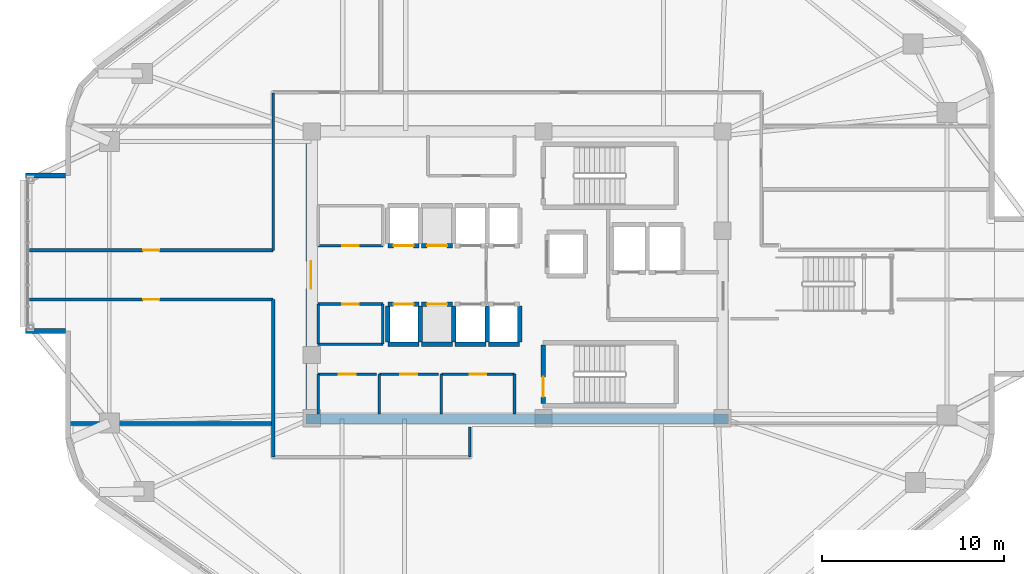
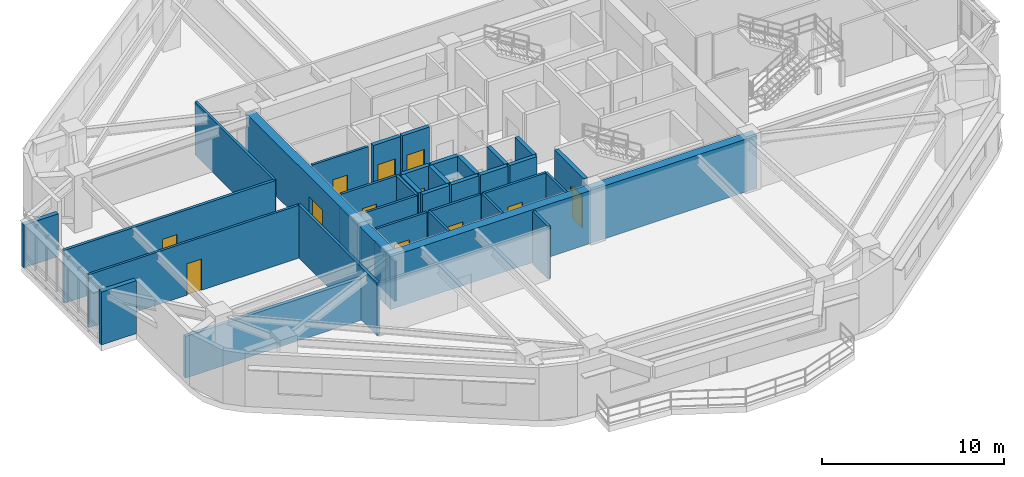
# One storey, part 9 of 16: 36 walls, 13 doors, 13 openings.
"""IFC4 building model written with IfcOpenShell, lengths in metres."""

import ifcopenshell
import ifcopenshell.guid

model = None  # the IFC model being written
_history = None  # IfcOwnerHistory: only IFC2X3 demands one
_inside = {}  # id of a spatial element -> (the spatial element, [elements in it])
_under = {}  # id of a project, library or spatial element -> (it, [spatial elements below it])
_declared = {}  # id of a project -> (the project, [libraries it declares])
_typed = {}  # id of a type object -> (the type object, [elements of that type])
_made_of = {}  # id of a material, layer set ... -> (it, [elements and type objects made of it])


def new_model(schema):
    """Start an empty IFC model of exactly this schema.

    Asked for "IFC4X3", IfcOpenShell would pick the latest addendum, in which some entities
    have other attributes; the version numbers below select the first issue.
    IFC2X3 requires an IfcOwnerHistory on every rooted entity: one is made here for all.
    """
    global model, _history
    if schema == "IFC4X3":
        model = ifcopenshell.file(schema_version=(4, 3, 0, 0))
    else:
        model = ifcopenshell.file(schema=schema)
    _inside.clear()
    _under.clear()
    _declared.clear()
    _typed.clear()
    _made_of.clear()
    _history = None
    if model.schema == "IFC2X3":
        org = make("IfcOrganization", Name="unknown")
        user = make(
            "IfcPersonAndOrganization",
            ThePerson=make("IfcPerson", FamilyName="unknown"),
            TheOrganization=org,
        )
        app = make(
            "IfcApplication",
            ApplicationDeveloper=org,
            Version="unknown",
            ApplicationFullName="unknown",
            ApplicationIdentifier="unknown",
        )
        _history = make(
            "IfcOwnerHistory",
            OwningUser=user,
            OwningApplication=app,
            ChangeAction="ADDED",
            CreationDate=0,
        )
    return model


def make(cls, **values):
    """One entity of the class cls with the attributes given. An attribute that is None is left unset."""
    return model.create_entity(
        cls, **{name: value for name, value in values.items() if value is not None}
    )


def rooted(cls, **values):
    """An entity with a GlobalId (a new one), such as an element, a storey or a relation."""
    return make(cls, GlobalId=ifcopenshell.guid.new(), OwnerHistory=_history, **values)


def si_unit(unit_type, name, prefix=None):
    """IfcSIUnit, for example si_unit("LENGTHUNIT", "METRE", prefix="MILLI")."""
    return make("IfcSIUnit", UnitType=unit_type, Prefix=prefix, Name=name)


def assignment(units):
    """IfcUnitAssignment: the units of a project."""
    return None if units is None else make("IfcUnitAssignment", Units=units)


def point(xyz):
    """IfcCartesianPoint."""
    return None if xyz is None else make("IfcCartesianPoint", Coordinates=xyz)


def direction(xyz):
    """IfcDirection."""
    return None if xyz is None else make("IfcDirection", DirectionRatios=xyz)


def frame(location, z_axis=None, x_axis=None):
    """IfcAxis2Placement3D, a coordinate frame: its origin and axes. An axis left out is left unset."""
    return make(
        "IfcAxis2Placement3D",
        Location=point(location),
        Axis=direction(z_axis),
        RefDirection=direction(x_axis),
    )


def frame_2d(location, x_axis=None):
    """IfcAxis2Placement2D, a coordinate frame in the plane: its origin and x axis."""
    return make(
        "IfcAxis2Placement2D", Location=point(location), RefDirection=direction(x_axis)
    )


def origin():
    """The frame at (0, 0, 0) with its axes left unset."""
    return frame((0.0, 0.0, 0.0))


def place(relative_to, where):
    """IfcLocalPlacement: puts the frame where relative to a parent placement (None: the world)."""
    return make(
        "IfcLocalPlacement", PlacementRelTo=relative_to, RelativePlacement=where
    )


def context(
    kind, dimensions, precision=None, world=None, true_north=None, identifier=None
):
    """IfcGeometricRepresentationContext, for example the 3D "Model" context."""
    return make(
        "IfcGeometricRepresentationContext",
        ContextIdentifier=identifier,
        ContextType=kind,
        CoordinateSpaceDimension=dimensions,
        Precision=precision,
        WorldCoordinateSystem=world,
        TrueNorth=true_north,
    )


def subcontext(parent, identifier, kind, view, scale=None):
    """IfcGeometricRepresentationSubContext, for example "Body" below "Model"."""
    return make(
        "IfcGeometricRepresentationSubContext",
        ContextIdentifier=identifier,
        ContextType=kind,
        ParentContext=parent,
        TargetScale=scale,
        TargetView=view,
    )


def project(units=None, contexts=None):
    """IfcProject with its units and contexts."""
    return rooted(
        "IfcProject",
        Name="project",
        RepresentationContexts=contexts,
        UnitsInContext=assignment(units),
    )


def spatial(cls, under=None, at=None, **own):
    """A site, building, storey or space (cls), placed at a placement, below another one or the project."""
    s = rooted(cls, ObjectPlacement=at, **own)
    if under is not None:
        _under.setdefault(under.id(), (under, []))[1].append(s)
    return s


def profile(cls, at=None, kind="AREA", **sizes):
    """A parametric profile (cls). Its sizes go by their IFC names, for example OverallWidth=200.0."""
    return make(cls, ProfileType=kind, Position=at, **sizes)


def rectangle(**sizes):
    """IfcRectangleProfileDef."""
    return profile("IfcRectangleProfileDef", **sizes)


def extrude(swept, where, along, depth):
    """IfcExtrudedAreaSolid: the profile swept, set in the frame where, extruded along a direction by depth."""
    return make(
        "IfcExtrudedAreaSolid",
        SweptArea=swept,
        Position=where,
        ExtrudedDirection=direction(along),
        Depth=depth,
    )


def shape(context_of_items, identifier, shape_type, items):
    """IfcShapeRepresentation: the items that make up one representation, for example the "Body"."""
    return make(
        "IfcShapeRepresentation",
        ContextOfItems=context_of_items,
        RepresentationIdentifier=identifier,
        RepresentationType=shape_type,
        Items=items,
    )


def material(Name=None, Category=None):
    """IfcMaterial."""
    return make("IfcMaterial", Name=Name, Category=Category)


def layer(
    of_material, thickness, ventilated=None, Name=None, Category=None, Priority=None
):
    """IfcMaterialLayer: one layer of a wall or slab, of a material (None: an air gap)."""
    return make(
        "IfcMaterialLayer",
        Material=of_material,
        LayerThickness=thickness,
        IsVentilated=ventilated,
        Name=Name,
        Category=Category,
        Priority=Priority,
    )


def layer_set(layers, Name=None):
    """IfcMaterialLayerSet."""
    return make("IfcMaterialLayerSet", MaterialLayers=layers, LayerSetName=Name)


def made_of(thing, what):
    """Note that an element or type object is made of a material, layer set ...; save() writes the relation."""
    if what is not None:
        _made_of.setdefault(what.id(), (what, []))[1].append(thing)
    return thing


def type_object(cls, material=None, **own):
    """A type object (cls), such as IfcWallType, which elements share."""
    return made_of(rooted(cls, **own), material)


def element(
    cls,
    number,
    at=None,
    inside=None,
    cuts=None,
    type_object=None,
    material=None,
    context=None,
    identifier="Body",
    shape_type=None,
    held_by="IfcProductDefinitionShape",
    body=None,
    shapes=None,
    **own,
):
    """One element of the class cls, such as IfcWall. Its Tag is "e" and its number.

    at: its placement. inside: the storey or other place that contains it. cuts: it is an
    opening in that element (IfcRelVoidsElement). A single representation is given by context,
    identifier, shape_type and body (its items); several are given by shapes. held_by: the class
    of the entity that holds the representations. save() writes the other relations.
    """
    e = rooted(cls, Tag="e%d" % number, ObjectPlacement=at, **own)
    if body is not None:
        shapes = [shape(context, identifier, shape_type, body)]
    if shapes is not None:
        e.Representation = make(held_by, Representations=shapes)
    if inside is not None:
        _inside.setdefault(inside.id(), (inside, []))[1].append(e)
    if cuts is not None:
        rooted(
            "IfcRelVoidsElement", RelatingBuildingElement=cuts, RelatedOpeningElement=e
        )
    if type_object is not None:
        _typed.setdefault(type_object.id(), (type_object, []))[1].append(e)
    return made_of(e, material)


def fill(opening, filler):
    """IfcRelFillsElement: the door or window that sits in an opening."""
    return rooted(
        "IfcRelFillsElement",
        RelatingOpeningElement=opening,
        RelatedBuildingElement=filler,
    )


def aggregate(whole, parts):
    """IfcRelAggregates: a whole, such as a stair, and the parts it consists of."""
    return rooted("IfcRelAggregates", RelatingObject=whole, RelatedObjects=parts)


def save(model, path):
    """Write the relations noted so far, then the file.

    IfcRelAggregates (storeys below a building ...), IfcRelContainedInSpatialStructure (elements
    in a storey), IfcRelDefinesByType, IfcRelAssociatesMaterial and IfcRelDeclares: one each for
    every whole, place, type object, material and project.
    """
    for whole, parts in _under.values():
        aggregate(whole, parts)
    for where, things in _inside.values():
        rooted(
            "IfcRelContainedInSpatialStructure",
            RelatedElements=things,
            RelatingStructure=where,
        )
    for kind, things in _typed.values():
        rooted("IfcRelDefinesByType", RelatedObjects=things, RelatingType=kind)
    for what, things in _made_of.values():
        rooted("IfcRelAssociatesMaterial", RelatedObjects=things, RelatingMaterial=what)
    for by, libraries in _declared.values():
        rooted("IfcRelDeclares", RelatingContext=by, RelatedDefinitions=libraries)
    model.write(path)


model = new_model("IFC4")

# Units and contexts
model_context = context("Model", 3, precision=1e-05, world=origin(), true_north=direction((0.0, 1.0)))
body_context = subcontext(model_context, "Body", "Model", "MODEL_VIEW")
ifc_project = project(units=[si_unit("LENGTHUNIT", "METRE"), si_unit("AREAUNIT", "SQUARE_METRE"), si_unit("VOLUMEUNIT", "CUBIC_METRE"), si_unit("PLANEANGLEUNIT", "RADIAN"), si_unit("MASSUNIT", "GRAM", prefix="KILO")], contexts=[model_context])

# Site, building, storey
site_placement = place(None, origin())
site = spatial("IfcSite", under=ifc_project, at=site_placement, CompositionType="ELEMENT")
building_placement = place(site_placement, origin())
building = spatial("IfcBuilding", under=site, at=building_placement, Name="Zulverin Broadcast Headquarters", CompositionType="ELEMENT")
storey_placement = place(building_placement, frame((0.0, 0.0, 125.0)))
storey = spatial("IfcBuildingStorey", under=building, at=storey_placement, Name="L31", CompositionType="ELEMENT", Elevation=125.0)

# Walls
ifc_material_1 = material(Name="Double-stud acoustic drywall", Category="gypsum")
ifc_layer_1 = layer(ifc_material_1, 0.219970703125, Name="Double-stud acoustic drywall", Category="gypsum")
ifc_layer_set_1 = layer_set([ifc_layer_1], Name="Double-stud acoustic drywall")
wall_type_1 = type_object("IfcWallType", Name="WL-ACOU-220", PredefinedType="PARTITIONING", material=ifc_layer_set_1)
wall_1_placement = place(storey_placement, frame((12.405029296875, 17.050048828125, 0.0), z_axis=(0.0, 0.0, 1.0), x_axis=(1.0, 0.0, 0.0)))
element("IfcWall", 1, at=wall_1_placement, inside=storey, type_object=wall_type_1, Name="L31 Room Partition Wall RP-07", PredefinedType="PARTITIONING", context=body_context, shape_type="SweptSolid", body=[
    extrude(rectangle(XDim=11.195068359375, YDim=0.219970703125, at=frame_2d((5.59765625, 0.0))), origin(), (0.0, 0.0, 1.0), 2.7900390625),
])
ifc_material_2 = material(Name="Concrete C60/75", Category="concrete")
ifc_layer_2 = layer(ifc_material_2, 0.550048828125, Name="Concrete C60/75", Category="concrete")
ifc_layer_set_2 = layer_set([ifc_layer_2], Name="Concrete C60/75")
wall_type_2 = type_object("IfcWallType", Name="WL-CORE-550", PredefinedType="SHEAR", material=ifc_layer_set_2)
wall_2_placement = place(storey_placement, frame((25.39990234375, 17.27490234375, 0.0), z_axis=(0.0, 0.0, 1.0), x_axis=(1.0, 0.0, 0.0)))
element("IfcWall", 2, at=wall_2_placement, inside=storey, type_object=wall_type_2, Name="L31 Core South Shear Wall", PredefinedType="SHEAR", context=body_context, shape_type="SweptSolid", body=[
    extrude(rectangle(XDim=23.2001953125, YDim=0.550048828125, at=frame_2d((11.60009765625, 0.0))), origin(), (0.0, 0.0, 1.0), 3.5400390625),
])

# Wall, opening, door
wall_3_placement = place(storey_placement, frame((25.675048828125, 17.550048828125, 0.0), z_axis=(0.0, 0.0, 1.0), x_axis=(0.0, 1.0, 0.0)))
wall_3 = element("IfcWall", 3, at=wall_3_placement, inside=storey, type_object=wall_type_2, Name="L31 Core West Shear Wall", PredefinedType="SHEAR", context=body_context, shape_type="SweptSolid", body=[
    extrude(rectangle(XDim=15.300048828125, YDim=0.550048828125, at=frame_2d((7.64990234375, 0.0))), origin(), (0.0, 0.0, 1.0), 3.5400390625),
])
opening_1_placement = place(wall_3_placement, frame((6.89990234375, 0.0, 0.0)))
opening_1 = element("IfcOpeningElement", 4, at=opening_1_placement, cuts=wall_3, Name="Opening D-L31-CW1", PredefinedType="OPENING", context=body_context, shape_type="SweptSolid", body=[
    extrude(rectangle(XDim=1.5, YDim=2.14990234375, at=frame_2d((0.75, 1.074951171875))), frame((0.0, 0.284912109375, 0.0), z_axis=(0.0, -1.0, 0.0), x_axis=(1.0, 0.0, 0.0)), (0.0, 0.0, 1.0), 0.570068359375),
])
ifc_material_3 = material(Name="Fire-rated glazed steel frame", Category="steel")
door_type_1 = type_object("IfcDoorType", Name="DR-COR-1500", OperationType="DOUBLE_DOOR_SINGLE_SWING", PredefinedType="DOOR", material=ifc_material_3)
door_1_placement = place(opening_1_placement, origin())
door_1 = element("IfcDoor", 5, at=door_1_placement, inside=storey, type_object=door_type_1, Name="L31 Central Lift Lobby West Portal Door", OperationType="DOUBLE_DOOR_SINGLE_SWING", OverallHeight=2.14990234375, OverallWidth=1.5, PredefinedType="DOOR", context=body_context, shape_type="SweptSolid", body=[
    extrude(rectangle(XDim=1.5, YDim=2.14990234375, at=frame_2d((0.75, 1.074951171875))), frame((0.0, 0.02490234375, 0.0), z_axis=(0.0, -1.0, 0.0), x_axis=(1.0, 0.0, 0.0)), (0.0, 0.0, 1.0), 0.050048828125),
])
fill(opening_1, door_1)

# Walls
ifc_material_4 = material(Name="Insulated pale-metal clad concrete spandrel C40/50", Category="concrete")
ifc_layer_3 = layer(ifc_material_4, 0.280029296875, Name="Insulated pale-metal clad concrete spandrel C40/50", Category="concrete")
ifc_layer_set_3 = layer_set([ifc_layer_3], Name="Insulated pale-metal clad concrete spandrel C40/50")
wall_type_3 = type_object("IfcWallType", Name="WL-EXT-280", PredefinedType="STANDARD", material=ifc_layer_set_3)
wall_4_placement = place(storey_placement, frame((10.0, 22.1298828125, 0.0), z_axis=(0.0, 0.0, 1.0), x_axis=(1.0, 0.0, 0.0)))
element("IfcWall", 6, at=wall_4_placement, inside=storey, type_object=wall_type_3, Name="L31 Shifted Studio Box Cheek Wall SBOX_SKY1_W-S", PredefinedType="STANDARD", context=body_context, shape_type="SweptSolid", body=[
    extrude(rectangle(XDim=2.199951171875, YDim=0.280029296875, at=frame_2d((1.10009765625, 0.0))), origin(), (0.0, 0.0, 1.0), 3.5400390625),
])
wall_5_placement = place(storey_placement, frame((10.0, 30.64990234375, 0.0), z_axis=(0.0, 0.0, 1.0), x_axis=(1.0, 0.0, 0.0)))
element("IfcWall", 7, at=wall_5_placement, inside=storey, type_object=wall_type_3, Name="L31 Shifted Studio Box Cheek Wall SBOX_SKY1_W-N", PredefinedType="STANDARD", context=body_context, shape_type="SweptSolid", body=[
    extrude(rectangle(XDim=2.199951171875, YDim=0.280029296875, at=frame_2d((1.10009765625, 0.0))), origin(), (0.0, 0.0, 1.0), 2.84716796875),
])

# Wall, opening, door
ifc_material_5 = material(Name="Fire-rated gypsum stud partition", Category="gypsum")
ifc_layer_4 = layer(ifc_material_5, 0.14990234375, Name="Fire-rated gypsum stud partition", Category="gypsum")
ifc_layer_set_4 = layer_set([ifc_layer_4], Name="Fire-rated gypsum stud partition")
wall_type_4 = type_object("IfcWallType", Name="WL-PART-150", PredefinedType="PARTITIONING", material=ifc_layer_set_4)
wall_6_placement = place(storey_placement, frame((26.070068359375, 19.75, 0.0), z_axis=(0.0, 0.0, 1.0), x_axis=(1.0, 0.0, 0.0)))
wall_6 = element("IfcWall", 8, at=wall_6_placement, inside=storey, type_object=wall_type_4, Name="L31 Core Male WC Front Wall", PredefinedType="PARTITIONING", context=body_context, shape_type="SweptSolid", body=[
    extrude(rectangle(XDim=3.199951171875, YDim=0.14990234375, at=frame_2d((1.60009765625, 0.0))), origin(), (0.0, 0.0, 1.0), 3.5400390625),
])
opening_2_placement = place(wall_6_placement, frame((1.125, 0.0, 0.0)))
opening_2 = element("IfcOpeningElement", 9, at=opening_2_placement, cuts=wall_6, Name="Opening D-L31-SC1", PredefinedType="OPENING", context=body_context, shape_type="SweptSolid", body=[
    extrude(rectangle(XDim=0.949951171875, YDim=2.10009765625, at=frame_2d((0.47509765625, 1.050048828125))), frame((0.0, 0.0849609375, 0.0), z_axis=(0.0, -1.0, 0.0), x_axis=(1.0, 0.0, 0.0)), (0.0, 0.0, 1.0), 0.169921875),
])
ifc_material_6 = material(Name="Fire-rated moisture-resistant laminate leaf", Category="wood")
door_type_2 = type_object("IfcDoorType", Name="DR-WC-950", OperationType="SINGLE_SWING_LEFT", PredefinedType="DOOR", material=ifc_material_6)
door_2_placement = place(opening_2_placement, origin())
door_2 = element("IfcDoor", 10, at=door_2_placement, inside=storey, type_object=door_type_2, Name="L31 Male WC Door", OperationType="SINGLE_SWING_RIGHT", OverallHeight=2.10009765625, OverallWidth=0.949951171875, PredefinedType="DOOR", context=body_context, shape_type="SweptSolid", body=[
    extrude(rectangle(XDim=0.949951171875, YDim=2.10009765625, at=frame_2d((0.47509765625, 1.050048828125))), frame((0.0, 0.02490234375, 0.0), z_axis=(0.0, -1.0, 0.0), x_axis=(1.0, 0.0, 0.0)), (0.0, 0.0, 1.0), 0.050048828125),
])
fill(opening_2, door_2)

# Wall
wall_7_placement = place(storey_placement, frame((26.070068359375, 17.550048828125, 0.0), z_axis=(0.0, 0.0, 1.0), x_axis=(0.0, 1.0, 0.0)))
element("IfcWall", 11, at=wall_7_placement, inside=storey, type_object=wall_type_4, Name="L31 Core Male WC West Wall", PredefinedType="PARTITIONING", context=body_context, shape_type="SweptSolid", body=[
    extrude(rectangle(XDim=2.199951171875, YDim=0.14990234375, at=frame_2d((1.10009765625, 0.0))), origin(), (0.0, 0.0, 1.0), 2.639892578125),
])

# Wall, opening, door
wall_8_placement = place(storey_placement, frame((29.429931640625, 19.75, 0.0), z_axis=(0.0, 0.0, 1.0), x_axis=(1.0, 0.0, 0.0)))
wall_8 = element("IfcWall", 12, at=wall_8_placement, inside=storey, type_object=wall_type_4, Name="L31 Core Female WC Front Wall", PredefinedType="PARTITIONING", context=body_context, shape_type="SweptSolid", body=[
    extrude(rectangle(XDim=3.239990234375, YDim=0.14990234375, at=frame_2d((1.6201171875, 0.0))), origin(), (0.0, 0.0, 1.0), 3.5400390625),
])
opening_3_placement = place(wall_8_placement, frame((1.14501953125, 0.0, 0.0)))
opening_3 = element("IfcOpeningElement", 13, at=opening_3_placement, cuts=wall_8, Name="Opening D-L31-SC2", PredefinedType="OPENING", context=body_context, shape_type="SweptSolid", body=[
    extrude(rectangle(XDim=0.949951171875, YDim=2.10009765625, at=frame_2d((0.47509765625, 1.050048828125))), frame((0.0, 0.0849609375, 0.0), z_axis=(0.0, -1.0, 0.0), x_axis=(1.0, 0.0, 0.0)), (0.0, 0.0, 1.0), 0.169921875),
])
door_3_placement = place(opening_3_placement, origin())
door_3 = element("IfcDoor", 14, at=door_3_placement, inside=storey, type_object=door_type_2, Name="L31 Female WC Door", OperationType="SINGLE_SWING_LEFT", OverallHeight=2.10009765625, OverallWidth=0.949951171875, PredefinedType="DOOR", context=body_context, shape_type="SweptSolid", body=[
    extrude(rectangle(XDim=0.949951171875, YDim=2.10009765625, at=frame_2d((0.47509765625, 1.050048828125))), frame((0.0, 0.02490234375, 0.0), z_axis=(0.0, -1.0, 0.0), x_axis=(1.0, 0.0, 0.0)), (0.0, 0.0, 1.0), 0.050048828125),
])
fill(opening_3, door_3)

# Wall
wall_9_placement = place(storey_placement, frame((29.429931640625, 17.550048828125, 0.0), z_axis=(0.0, 0.0, 1.0), x_axis=(0.0, 1.0, 0.0)))
element("IfcWall", 15, at=wall_9_placement, inside=storey, type_object=wall_type_4, Name="L31 Core Female WC West Wall", PredefinedType="PARTITIONING", context=body_context, shape_type="SweptSolid", body=[
    extrude(rectangle(XDim=2.199951171875, YDim=0.14990234375, at=frame_2d((1.10009765625, 0.0))), origin(), (0.0, 0.0, 1.0), 3.5400390625),
])

# Wall, opening, door
wall_10_placement = place(storey_placement, frame((32.830078125, 19.75, 0.0), z_axis=(0.0, 0.0, 1.0), x_axis=(1.0, 0.0, 0.0)))
wall_10 = element("IfcWall", 16, at=wall_10_placement, inside=storey, type_object=wall_type_4, Name="L31 Core Cleaner Store Front Wall", PredefinedType="PARTITIONING", context=body_context, shape_type="SweptSolid", body=[
    extrude(rectangle(XDim=4.02001953125, YDim=0.14990234375, at=frame_2d((2.010009765625, 0.0))), origin(), (0.0, 0.0, 1.0), 3.5400390625),
])
opening_4_placement = place(wall_10_placement, frame((1.56005859375, 0.0, 0.0)))
opening_4 = element("IfcOpeningElement", 17, at=opening_4_placement, cuts=wall_10, Name="Opening D-L31-SC3", PredefinedType="OPENING", context=body_context, shape_type="SweptSolid", body=[
    extrude(rectangle(XDim=0.89990234375, YDim=2.10009765625, at=frame_2d((0.449951171875, 1.050048828125))), frame((0.0, 0.0849609375, 0.0), z_axis=(0.0, -1.0, 0.0), x_axis=(1.0, 0.0, 0.0)), (0.0, 0.0, 1.0), 0.169921875),
])
ifc_material_7 = material(Name="Powder-coated steel access leaf", Category="steel")
door_type_3 = type_object("IfcDoorType", Name="DR-RISER-900", OperationType="SINGLE_SWING_LEFT", PredefinedType="DOOR", material=ifc_material_7)
door_4_placement = place(opening_4_placement, origin())
door_4 = element("IfcDoor", 18, at=door_4_placement, inside=storey, type_object=door_type_3, Name="L31 Cleaner Store Door", OperationType="SINGLE_SWING_RIGHT", OverallHeight=2.10009765625, OverallWidth=0.89990234375, PredefinedType="DOOR", context=body_context, shape_type="SweptSolid", body=[
    extrude(rectangle(XDim=0.89990234375, YDim=2.10009765625, at=frame_2d((0.449951171875, 1.050048828125))), frame((0.0, 0.02490234375, 0.0), z_axis=(0.0, -1.0, 0.0), x_axis=(1.0, 0.0, 0.0)), (0.0, 0.0, 1.0), 0.050048828125),
])
fill(opening_4, door_4)

# Walls
for number, where, z_axis, x_axis, name in (
    (19, (32.830078125, 17.550048828125, 0.0), (0.0, 0.0, 1.0), (0.0, 1.0, 0.0), "L31 Core Cleaner Store West Wall"),
    (20, (36.85009765625, 17.550048828125, 0.0), (0.0, 0.0, 1.0), (0.0, 1.0, 0.0), "L31 Core Cleaner Store East Wall"),
):
    element("IfcWall", number, at=place(storey_placement, frame(where, z_axis=z_axis, x_axis=x_axis)), inside=storey, type_object=wall_type_4, Name=name, PredefinedType="PARTITIONING", context=body_context, shape_type="SweptSolid", body=[
        extrude(rectangle(XDim=2.199951171875, YDim=0.14990234375, at=frame_2d((1.10009765625, 0.0))), origin(), (0.0, 0.0, 1.0), 3.5400390625),
    ])

# Wall, opening, door
wall_11_placement = place(storey_placement, frame((26.070068359375, 26.800048828125, 0.0), z_axis=(0.0, 0.0, 1.0), x_axis=(1.0, 0.0, 0.0)))
wall_11 = element("IfcWall", 21, at=wall_11_placement, inside=storey, type_object=wall_type_4, Name="L31 Broadcast Signal Patch Room S Wall", PredefinedType="PARTITIONING", context=body_context, shape_type="SweptSolid", body=[
    extrude(rectangle(XDim=3.550048828125, YDim=0.14990234375, at=frame_2d((1.77490234375, 0.0))), origin(), (0.0, 0.0, 1.0), 3.5400390625),
])
opening_5_placement = place(wall_11_placement, frame((1.324951171875, 0.0, 0.0)))
opening_5 = element("IfcOpeningElement", 22, at=opening_5_placement, cuts=wall_11, Name="Opening D-L31-RCLN", PredefinedType="OPENING", context=body_context, shape_type="SweptSolid", body=[
    extrude(rectangle(XDim=0.89990234375, YDim=2.10009765625, at=frame_2d((0.449951171875, 1.050048828125))), frame((0.0, 0.0849609375, 0.0), z_axis=(0.0, -1.0, 0.0), x_axis=(1.0, 0.0, 0.0)), (0.0, 0.0, 1.0), 0.169921875),
])
door_5_placement = place(opening_5_placement, origin())
door_5 = element("IfcDoor", 23, at=door_5_placement, inside=storey, type_object=door_type_3, Name="L31 Broadcast Signal Patch Room Door", OperationType="SINGLE_SWING_LEFT", OverallHeight=2.10009765625, OverallWidth=0.89990234375, PredefinedType="DOOR", context=body_context, shape_type="SweptSolid", body=[
    extrude(rectangle(XDim=0.89990234375, YDim=2.10009765625, at=frame_2d((0.449951171875, 1.050048828125))), frame((0.0, 0.02490234375, 0.0), z_axis=(0.0, -1.0, 0.0), x_axis=(1.0, 0.0, 0.0)), (0.0, 0.0, 1.0), 0.050048828125),
])
fill(opening_5, door_5)

# Wall
wall_12_placement = place(storey_placement, frame((26.070068359375, 21.39990234375, 0.0), z_axis=(0.0, 0.0, 1.0), x_axis=(1.0, 0.0, 0.0)))
element("IfcWall", 24, at=wall_12_placement, inside=storey, type_object=wall_type_4, Name="L31 Housekeeping Equipment Store S Wall", PredefinedType="PARTITIONING", context=body_context, shape_type="SweptSolid", body=[
    extrude(rectangle(XDim=3.550048828125, YDim=0.14990234375, at=frame_2d((1.77490234375, 0.0))), origin(), (0.0, 0.0, 1.0), 3.5400390625),
])

# Wall, opening, door
wall_13_placement = place(storey_placement, frame((26.070068359375, 23.60009765625, 0.0), z_axis=(0.0, 0.0, 1.0), x_axis=(1.0, 0.0, 0.0)))
wall_13 = element("IfcWall", 25, at=wall_13_placement, inside=storey, type_object=wall_type_4, Name="L31 Housekeeping Equipment Store N Wall", PredefinedType="PARTITIONING", context=body_context, shape_type="SweptSolid", body=[
    extrude(rectangle(XDim=3.550048828125, YDim=0.14990234375, at=frame_2d((1.77490234375, 0.0))), origin(), (0.0, 0.0, 1.0), 3.5400390625),
])
opening_6_placement = place(wall_13_placement, frame((1.324951171875, 0.0, 0.0)))
opening_6 = element("IfcOpeningElement", 26, at=opening_6_placement, cuts=wall_13, Name="Opening D-L31-RCLS", PredefinedType="OPENING", context=body_context, shape_type="SweptSolid", body=[
    extrude(rectangle(XDim=0.89990234375, YDim=2.10009765625, at=frame_2d((0.449951171875, 1.050048828125))), frame((0.0, 0.0849609375, 0.0), z_axis=(0.0, -1.0, 0.0), x_axis=(1.0, 0.0, 0.0)), (0.0, 0.0, 1.0), 0.169921875),
])
door_6_placement = place(opening_6_placement, origin())
door_6 = element("IfcDoor", 27, at=door_6_placement, inside=storey, type_object=door_type_3, Name="L31 Housekeeping Equipment Store Door", OperationType="SINGLE_SWING_RIGHT", OverallHeight=2.10009765625, OverallWidth=0.89990234375, PredefinedType="DOOR", context=body_context, shape_type="SweptSolid", body=[
    extrude(rectangle(XDim=0.89990234375, YDim=2.10009765625, at=frame_2d((0.449951171875, 1.050048828125))), frame((0.0, 0.02490234375, 0.0), z_axis=(0.0, -1.0, 0.0), x_axis=(1.0, 0.0, 0.0)), (0.0, 0.0, 1.0), 0.050048828125),
])
fill(opening_6, door_6)

# Walls
wall_14_placement = place(storey_placement, frame((26.070068359375, 21.39990234375, 0.0), z_axis=(0.0, 0.0, 1.0), x_axis=(0.0, 1.0, 0.0)))
element("IfcWall", 28, at=wall_14_placement, inside=storey, type_object=wall_type_4, Name="L31 Housekeeping Equipment Store W Wall", PredefinedType="PARTITIONING", context=body_context, shape_type="SweptSolid", body=[
    extrude(rectangle(XDim=2.2001953125, YDim=0.14990234375, at=frame_2d((1.10009765625, 0.0))), origin(), (0.0, 0.0, 1.0), 2.639892578125),
])
wall_15_placement = place(storey_placement, frame((29.6201171875, 21.39990234375, 0.0), z_axis=(0.0, 0.0, 1.0), x_axis=(0.0, 1.0, 0.0)))
element("IfcWall", 29, at=wall_15_placement, inside=storey, type_object=wall_type_4, Name="L31 Housekeeping Equipment Store E Wall", PredefinedType="PARTITIONING", context=body_context, shape_type="SweptSolid", body=[
    extrude(rectangle(XDim=2.2001953125, YDim=0.14990234375, at=frame_2d((1.10009765625, 0.0))), origin(), (0.0, 0.0, 1.0), 3.5400390625),
])
wall_16_placement = place(storey_placement, frame((34.39990234375, 15.199951171875, 0.0), z_axis=(0.0, 0.0, 1.0), x_axis=(0.0, 1.0, 0.0)))
element("IfcWall", 30, at=wall_16_placement, inside=storey, type_object=wall_type_4, Name="L31 Gallery Partition Wall CG-02", PredefinedType="PARTITIONING", context=body_context, shape_type="SweptSolid", body=[
    extrude(rectangle(XDim=1.66015625, YDim=0.14990234375, at=frame_2d((0.830078125, 0.0))), origin(), (0.0, 0.0, 1.0), 3.5400390625),
])
wall_17_placement = place(storey_placement, frame((23.60009765625, 26.550048828125, 0.0), z_axis=(0.0, 0.0, 1.0), x_axis=(0.0, 1.0, 0.0)))
element("IfcWall", 31, at=wall_17_placement, inside=storey, type_object=wall_type_4, Name="L31 Gallery Partition Wall CG-05", PredefinedType="PARTITIONING", context=body_context, shape_type="SweptSolid", body=[
    extrude(rectangle(XDim=8.64990234375, YDim=0.14990234375, at=frame_2d((4.324951171875, 0.0))), origin(), (0.0, 0.0, 1.0), 3.5400390625),
])

# Wall, opening, door
wall_18_placement = place(storey_placement, frame((10.205078125, 23.85009765625, 0.0), z_axis=(0.0, 0.0, 1.0), x_axis=(1.0, 0.0, 0.0)))
wall_18 = element("IfcWall", 32, at=wall_18_placement, inside=storey, type_object=wall_type_4, Name="L31 Gallery Partition Wall CG-10", PredefinedType="PARTITIONING", context=body_context, shape_type="SweptSolid", body=[
    extrude(rectangle(XDim=13.39501953125, YDim=0.14990234375, at=frame_2d((6.697509765625, 0.0))), origin(), (0.0, 0.0, 1.0), 3.5400390625),
])
opening_7_placement = place(wall_18_placement, frame((6.24755859375, 0.0, 0.0)))
opening_7 = element("IfcOpeningElement", 33, at=opening_7_placement, cuts=wall_18, Name="Opening D-L31-04", PredefinedType="OPENING", context=body_context, shape_type="SweptSolid", body=[
    extrude(rectangle(XDim=0.89990234375, YDim=2.10009765625, at=frame_2d((0.449951171875, 1.050048828125))), frame((0.0, 0.0849609375, 0.0), z_axis=(0.0, -1.0, 0.0), x_axis=(1.0, 0.0, 0.0)), (0.0, 0.0, 1.0), 0.169921875),
])
ifc_material_8 = material(Name="Fire-rated hardwood veneer timber leaf", Category="wood")
door_type_4 = type_object("IfcDoorType", Name="DR-ROOM-900", OperationType="SINGLE_SWING_RIGHT", PredefinedType="DOOR", material=ifc_material_8)
door_7_placement = place(opening_7_placement, origin())
door_7 = element("IfcDoor", 34, at=door_7_placement, inside=storey, type_object=door_type_4, Name="L31 Sky Cafe & Bar Door", OperationType="SINGLE_SWING_LEFT", OverallHeight=2.10009765625, OverallWidth=0.89990234375, PredefinedType="DOOR", context=body_context, shape_type="SweptSolid", body=[
    extrude(rectangle(XDim=0.89990234375, YDim=2.10009765625, at=frame_2d((0.449951171875, 1.050048828125))), frame((0.0, 0.02490234375, 0.0), z_axis=(0.0, -1.0, 0.0), x_axis=(1.0, 0.0, 0.0)), (0.0, 0.0, 1.0), 0.050048828125),
])
fill(opening_7, door_7)

# Wall
ifc_material_9 = material(Name="Fire-rated acoustic stud wall", Category="gypsum")
ifc_layer_5 = layer(ifc_material_9, 0.175048828125, Name="Fire-rated acoustic stud wall", Category="gypsum")
ifc_layer_set_5 = layer_set([ifc_layer_5], Name="Fire-rated acoustic stud wall")
wall_type_5 = type_object("IfcWallType", Name="WL-PART-175", PredefinedType="PARTITIONING", material=ifc_layer_set_5)
wall_19_placement = place(storey_placement, frame((23.60009765625, 15.199951171875, 0.0), z_axis=(0.0, 0.0, 1.0), x_axis=(0.0, 1.0, 0.0)))
element("IfcWall", 35, at=wall_19_placement, inside=storey, type_object=wall_type_5, Name="L31 Gallery Partition Wall CG-04", PredefinedType="PARTITIONING", context=body_context, shape_type="SweptSolid", body=[
    extrude(rectangle(XDim=8.650146484375, YDim=0.175048828125, at=frame_2d((4.3251953125, 0.0))), origin(), (0.0, 0.0, 1.0), 3.5400390625),
])

# Wall, opening, door
wall_20_placement = place(storey_placement, frame((10.205078125, 26.550048828125, 0.0), z_axis=(0.0, 0.0, 1.0), x_axis=(1.0, 0.0, 0.0)))
wall_20 = element("IfcWall", 36, at=wall_20_placement, inside=storey, type_object=wall_type_5, Name="L31 Gallery Partition Wall CG-12", PredefinedType="PARTITIONING", context=body_context, shape_type="SweptSolid", body=[
    extrude(rectangle(XDim=13.39501953125, YDim=0.175048828125, at=frame_2d((6.697509765625, 0.0))), origin(), (0.0, 0.0, 1.0), 3.5400390625),
])
opening_8_placement = place(wall_20_placement, frame((6.24755859375, 0.0, 0.0)))
opening_8 = element("IfcOpeningElement", 37, at=opening_8_placement, cuts=wall_20, Name="Opening D-L31-05", PredefinedType="OPENING", context=body_context, shape_type="SweptSolid", body=[
    extrude(rectangle(XDim=0.89990234375, YDim=2.10009765625, at=frame_2d((0.449951171875, 1.050048828125))), frame((0.0, 0.097412109375, 0.0), z_axis=(0.0, -1.0, 0.0), x_axis=(1.0, 0.0, 0.0)), (0.0, 0.0, 1.0), 0.195068359375),
])
door_8_placement = place(opening_8_placement, origin())
door_8 = element("IfcDoor", 38, at=door_8_placement, inside=storey, type_object=door_type_4, Name="L31 Sky Lobby Reception Door", OperationType="SINGLE_SWING_RIGHT", OverallHeight=2.10009765625, OverallWidth=0.89990234375, PredefinedType="DOOR", context=body_context, shape_type="SweptSolid", body=[
    extrude(rectangle(XDim=0.89990234375, YDim=2.10009765625, at=frame_2d((0.449951171875, 1.050048828125))), frame((0.0, 0.02490234375, 0.0), z_axis=(0.0, -1.0, 0.0), x_axis=(1.0, 0.0, 0.0)), (0.0, 0.0, 1.0), 0.050048828125),
])
fill(opening_8, door_8)

ifc_material_10 = material(Name="Concrete C50/60", Category="concrete")
ifc_layer_6 = layer(ifc_material_10, 0.25, Name="Concrete C50/60", Category="concrete")
ifc_layer_set_6 = layer_set([ifc_layer_6], Name="Concrete C50/60")
wall_type_6 = type_object("IfcWallType", Name="WL-SHAFT-250", PredefinedType="SHEAR", material=ifc_layer_set_6)
wall_21_placement = place(storey_placement, frame((38.425048828125, 18.14990234375, 0.0), z_axis=(0.0, 0.0, 1.0), x_axis=(0.0, 1.0, 0.0)))
wall_21 = element("IfcWall", 39, at=wall_21_placement, inside=storey, type_object=wall_type_6, Name="L31 ST-2 Enclosure Wall W", PredefinedType="SHEAR", context=body_context, shape_type="SweptSolid", body=[
    extrude(rectangle(XDim=3.2001953125, YDim=0.25, at=frame_2d((1.60009765625, 0.0))), origin(), (0.0, 0.0, 1.0), 3.5400390625),
])
opening_9_placement = place(wall_21_placement, frame((0.35009765625, 0.0, 0.0)))
opening_9 = element("IfcOpeningElement", 40, at=opening_9_placement, cuts=wall_21, Name="Opening D-L31-ST-2", PredefinedType="OPENING", context=body_context, shape_type="SweptSolid", body=[
    extrude(rectangle(XDim=1.10009765625, YDim=2.14990234375, at=frame_2d((0.550048828125, 1.074951171875))), frame((0.0, 0.135009765625, 0.0), z_axis=(0.0, -1.0, 0.0), x_axis=(1.0, 0.0, 0.0)), (0.0, 0.0, 1.0), 0.27001953125),
])
ifc_material_11 = material(Name="Fire-rated steel leaf and frame", Category="steel")
door_type_5 = type_object("IfcDoorType", Name="DR-STAIR-1100", OperationType="SINGLE_SWING_LEFT", PredefinedType="DOOR", material=ifc_material_11)
door_9_placement = place(opening_9_placement, origin())
door_9 = element("IfcDoor", 41, at=door_9_placement, inside=storey, type_object=door_type_5, Name="L31 Exit Stair ST-2 Fire Door", OperationType="SINGLE_SWING_RIGHT", OverallHeight=2.14990234375, OverallWidth=1.10009765625, PredefinedType="DOOR", context=body_context, shape_type="SweptSolid", body=[
    extrude(rectangle(XDim=1.10009765625, YDim=2.14990234375, at=frame_2d((0.550048828125, 1.074951171875))), frame((0.0, 0.02490234375, 0.0), z_axis=(0.0, -1.0, 0.0), x_axis=(1.0, 0.0, 0.0)), (0.0, 0.0, 1.0), 0.050048828125),
])
fill(opening_9, door_9)

# Wall
wall_22_placement = place(storey_placement, frame((29.89990234375, 21.39990234375, 0.0), z_axis=(0.0, 0.0, 1.0), x_axis=(1.0, 0.0, 0.0)))
element("IfcWall", 42, at=wall_22_placement, inside=storey, type_object=wall_type_6, Name="L31 Lift PL-M1 Shaft Wall S", PredefinedType="SHEAR", context=body_context, shape_type="SweptSolid", body=[
    extrude(rectangle(XDim=1.72021484375, YDim=0.25, at=frame_2d((0.860107421875, 0.0))), origin(), (0.0, 0.0, 1.0), 3.5400390625),
])

# Wall, opening, door
wall_23_placement = place(storey_placement, frame((29.89990234375, 23.60009765625, 0.0), z_axis=(0.0, 0.0, 1.0), x_axis=(1.0, 0.0, 0.0)))
wall_23 = element("IfcWall", 43, at=wall_23_placement, inside=storey, type_object=wall_type_6, Name="L31 Lift PL-M1 Shaft Wall N", PredefinedType="SHEAR", context=body_context, shape_type="SweptSolid", body=[
    extrude(rectangle(XDim=1.72021484375, YDim=0.25, at=frame_2d((0.860107421875, 0.0))), origin(), (0.0, 0.0, 1.0), 3.5400390625),
])
opening_10_placement = place(wall_23_placement, frame((0.31005859375, 0.0, 0.0)))
opening_10 = element("IfcOpeningElement", 44, at=opening_10_placement, cuts=wall_23, Name="Opening LD-PL-M1-L31", PredefinedType="OPENING", context=body_context, shape_type="SweptSolid", body=[
    extrude(rectangle(XDim=1.10009765625, YDim=2.14990234375, at=frame_2d((0.550048828125, 1.074951171875))), frame((0.0, 0.135009765625, 0.0), z_axis=(0.0, -1.0, 0.0), x_axis=(1.0, 0.0, 0.0)), (0.0, 0.0, 1.0), 0.27001953125),
])
ifc_material_12 = material(Name="Brushed stainless steel landing", Category="steel")
door_type_6 = type_object("IfcDoorType", Name="LD-PASS-1100", OperationType="DOUBLE_DOOR_SLIDING", PredefinedType="DOOR", material=ifc_material_12)
door_10_placement = place(opening_10_placement, origin())
door_10 = element("IfcDoor", 45, at=door_10_placement, inside=storey, type_object=door_type_6, Name="L31 Lift PL-M1 Sliding Landing Door", OperationType="DOUBLE_DOOR_SLIDING", OverallHeight=2.14990234375, OverallWidth=1.10009765625, PredefinedType="DOOR", context=body_context, shape_type="SweptSolid", body=[
    extrude(rectangle(XDim=1.10009765625, YDim=2.14990234375, at=frame_2d((0.550048828125, 1.074951171875))), frame((0.0, 0.02490234375, 0.0), z_axis=(0.0, -1.0, 0.0), x_axis=(1.0, 0.0, 0.0)), (0.0, 0.0, 1.0), 0.050048828125),
])
fill(opening_10, door_10)

# Walls
for number, where, z_axis, x_axis, name in (
    (46, (29.89990234375, 21.52001953125, 0.0), (0.0, 0.0, 1.0), (0.0, 1.0, 0.0), "L31 Lift PL-M1 Shaft Wall W"),
    (47, (31.679931640625, 21.52001953125, 0.0), (0.0, 0.0, 1.0), (0.0, 1.0, 0.0), "L31 Lift PL-M1 Shaft Wall E"),
):
    element("IfcWall", number, at=place(storey_placement, frame(where, z_axis=z_axis, x_axis=x_axis)), inside=storey, type_object=wall_type_6, Name=name, PredefinedType="SHEAR", context=body_context, shape_type="SweptSolid", body=[
        extrude(rectangle(XDim=1.9599609375, YDim=0.25, at=frame_2d((0.97998046875, 0.0))), origin(), (0.0, 0.0, 1.0), 3.5400390625),
    ])
wall_24_placement = place(storey_placement, frame((31.739990234375, 21.39990234375, 0.0), z_axis=(0.0, 0.0, 1.0), x_axis=(1.0, 0.0, 0.0)))
element("IfcWall", 48, at=wall_24_placement, inside=storey, type_object=wall_type_6, Name="L31 Lift PL-M2 Shaft Wall S", PredefinedType="SHEAR", context=body_context, shape_type="SweptSolid", body=[
    extrude(rectangle(XDim=1.719970703125, YDim=0.25, at=frame_2d((0.85986328125, 0.0))), origin(), (0.0, 0.0, 1.0), 3.5400390625),
])

# Wall, opening, door
wall_25_placement = place(storey_placement, frame((31.739990234375, 23.60009765625, 0.0), z_axis=(0.0, 0.0, 1.0), x_axis=(1.0, 0.0, 0.0)))
wall_25 = element("IfcWall", 49, at=wall_25_placement, inside=storey, type_object=wall_type_6, Name="L31 Lift PL-M2 Shaft Wall N", PredefinedType="SHEAR", context=body_context, shape_type="SweptSolid", body=[
    extrude(rectangle(XDim=1.719970703125, YDim=0.25, at=frame_2d((0.85986328125, 0.0))), origin(), (0.0, 0.0, 1.0), 3.5400390625),
])
opening_11_placement = place(wall_25_placement, frame((0.31005859375, 0.0, 0.0)))
opening_11 = element("IfcOpeningElement", 50, at=opening_11_placement, cuts=wall_25, Name="Opening LD-PL-M2-L31", PredefinedType="OPENING", context=body_context, shape_type="SweptSolid", body=[
    extrude(rectangle(XDim=1.10009765625, YDim=2.14990234375, at=frame_2d((0.550048828125, 1.074951171875))), frame((0.0, 0.135009765625, 0.0), z_axis=(0.0, -1.0, 0.0), x_axis=(1.0, 0.0, 0.0)), (0.0, 0.0, 1.0), 0.27001953125),
])
door_11_placement = place(opening_11_placement, origin())
door_11 = element("IfcDoor", 51, at=door_11_placement, inside=storey, type_object=door_type_6, Name="L31 Lift PL-M2 Sliding Landing Door", OperationType="DOUBLE_DOOR_SLIDING", OverallHeight=2.14990234375, OverallWidth=1.10009765625, PredefinedType="DOOR", context=body_context, shape_type="SweptSolid", body=[
    extrude(rectangle(XDim=1.10009765625, YDim=2.14990234375, at=frame_2d((0.550048828125, 1.074951171875))), frame((0.0, 0.02490234375, 0.0), z_axis=(0.0, -1.0, 0.0), x_axis=(1.0, 0.0, 0.0)), (0.0, 0.0, 1.0), 0.050048828125),
])
fill(opening_11, door_11)

# Walls
wall_26_placement = place(storey_placement, frame((33.52001953125, 21.52001953125, 0.0), z_axis=(0.0, 0.0, 1.0), x_axis=(0.0, 1.0, 0.0)))
element("IfcWall", 52, at=wall_26_placement, inside=storey, type_object=wall_type_6, Name="L31 Lift PL-M2 Shaft Wall E", PredefinedType="SHEAR", context=body_context, shape_type="SweptSolid", body=[
    extrude(rectangle(XDim=1.9599609375, YDim=0.25, at=frame_2d((0.97998046875, 0.0))), origin(), (0.0, 0.0, 1.0), 3.5400390625),
])
wall_27_placement = place(storey_placement, frame((33.580078125, 21.39990234375, 0.0), z_axis=(0.0, 0.0, 1.0), x_axis=(1.0, 0.0, 0.0)))
element("IfcWall", 53, at=wall_27_placement, inside=storey, type_object=wall_type_6, Name="L31 Lift PL-M3 Shaft Wall S", PredefinedType="SHEAR", context=body_context, shape_type="SweptSolid", body=[
    extrude(rectangle(XDim=1.719970703125, YDim=0.25, at=frame_2d((0.85986328125, 0.0))), origin(), (0.0, 0.0, 1.0), 3.5400390625),
])
wall_28_placement = place(storey_placement, frame((35.360107421875, 21.52001953125, 0.0), z_axis=(0.0, 0.0, 1.0), x_axis=(0.0, 1.0, 0.0)))
element("IfcWall", 54, at=wall_28_placement, inside=storey, type_object=wall_type_6, Name="L31 Lift PL-M3 Shaft Wall E", PredefinedType="SHEAR", context=body_context, shape_type="SweptSolid", body=[
    extrude(rectangle(XDim=1.9599609375, YDim=0.25, at=frame_2d((0.97998046875, 0.0))), origin(), (0.0, 0.0, 1.0), 3.5400390625),
])
wall_29_placement = place(storey_placement, frame((35.419921875, 21.39990234375, 0.0), z_axis=(0.0, 0.0, 1.0), x_axis=(1.0, 0.0, 0.0)))
element("IfcWall", 55, at=wall_29_placement, inside=storey, type_object=wall_type_6, Name="L31 Lift PL-M4 Shaft Wall S", PredefinedType="SHEAR", context=body_context, shape_type="SweptSolid", body=[
    extrude(rectangle(XDim=1.719970703125, YDim=0.25, at=frame_2d((0.85986328125, 0.0))), origin(), (0.0, 0.0, 1.0), 3.5400390625),
])
wall_30_placement = place(storey_placement, frame((37.139892578125, 21.52001953125, 0.0), z_axis=(0.0, 0.0, 1.0), x_axis=(0.0, 1.0, 0.0)))
element("IfcWall", 56, at=wall_30_placement, inside=storey, type_object=wall_type_6, Name="L31 Lift PL-M4 Shaft Wall E", PredefinedType="SHEAR", context=body_context, shape_type="SweptSolid", body=[
    extrude(rectangle(XDim=1.9599609375, YDim=0.25, at=frame_2d((0.97998046875, 0.0))), origin(), (0.0, 0.0, 1.0), 3.5400390625),
])

# Wall, opening, door
wall_31_placement = place(storey_placement, frame((29.89990234375, 26.800048828125, 0.0), z_axis=(0.0, 0.0, 1.0), x_axis=(1.0, 0.0, 0.0)))
wall_31 = element("IfcWall", 57, at=wall_31_placement, inside=storey, type_object=wall_type_6, Name="L31 Lift PL-H1 Shaft Wall S", PredefinedType="SHEAR", context=body_context, shape_type="SweptSolid", body=[
    extrude(rectangle(XDim=1.72021484375, YDim=0.25, at=frame_2d((0.860107421875, 0.0))), origin(), (0.0, 0.0, 1.0), 3.5400390625),
])
opening_12_placement = place(wall_31_placement, frame((0.31005859375, 0.0, 0.0)))
opening_12 = element("IfcOpeningElement", 58, at=opening_12_placement, cuts=wall_31, Name="Opening LD-PL-H1-L31", PredefinedType="OPENING", context=body_context, shape_type="SweptSolid", body=[
    extrude(rectangle(XDim=1.10009765625, YDim=2.14990234375, at=frame_2d((0.550048828125, 1.074951171875))), frame((0.0, 0.135009765625, 0.0), z_axis=(0.0, -1.0, 0.0), x_axis=(1.0, 0.0, 0.0)), (0.0, 0.0, 1.0), 0.27001953125),
])
door_12_placement = place(opening_12_placement, origin())
door_12 = element("IfcDoor", 59, at=door_12_placement, inside=storey, type_object=door_type_6, Name="L31 Lift PL-H1 Sliding Landing Door", OperationType="DOUBLE_DOOR_SLIDING", OverallHeight=2.14990234375, OverallWidth=1.10009765625, PredefinedType="DOOR", context=body_context, shape_type="SweptSolid", body=[
    extrude(rectangle(XDim=1.10009765625, YDim=2.14990234375, at=frame_2d((0.550048828125, 1.074951171875))), frame((0.0, 0.02490234375, 0.0), z_axis=(0.0, -1.0, 0.0), x_axis=(1.0, 0.0, 0.0)), (0.0, 0.0, 1.0), 0.050048828125),
])
fill(opening_12, door_12)

wall_32_placement = place(storey_placement, frame((31.739990234375, 26.800048828125, 0.0), z_axis=(0.0, 0.0, 1.0), x_axis=(1.0, 0.0, 0.0)))
wall_32 = element("IfcWall", 60, at=wall_32_placement, inside=storey, type_object=wall_type_6, Name="L31 Lift PL-H2 Shaft Wall S", PredefinedType="SHEAR", context=body_context, shape_type="SweptSolid", body=[
    extrude(rectangle(XDim=1.719970703125, YDim=0.25, at=frame_2d((0.85986328125, 0.0))), origin(), (0.0, 0.0, 1.0), 3.5400390625),
])
opening_13_placement = place(wall_32_placement, frame((0.31005859375, 0.0, 0.0)))
opening_13 = element("IfcOpeningElement", 61, at=opening_13_placement, cuts=wall_32, Name="Opening LD-PL-H2-L31", PredefinedType="OPENING", context=body_context, shape_type="SweptSolid", body=[
    extrude(rectangle(XDim=1.10009765625, YDim=2.14990234375, at=frame_2d((0.550048828125, 1.074951171875))), frame((0.0, 0.135009765625, 0.0), z_axis=(0.0, -1.0, 0.0), x_axis=(1.0, 0.0, 0.0)), (0.0, 0.0, 1.0), 0.27001953125),
])
door_13_placement = place(opening_13_placement, origin())
door_13 = element("IfcDoor", 62, at=door_13_placement, inside=storey, type_object=door_type_6, Name="L31 Lift PL-H2 Sliding Landing Door", OperationType="DOUBLE_DOOR_SLIDING", OverallHeight=2.14990234375, OverallWidth=1.10009765625, PredefinedType="DOOR", context=body_context, shape_type="SweptSolid", body=[
    extrude(rectangle(XDim=1.10009765625, YDim=2.14990234375, at=frame_2d((0.550048828125, 1.074951171875))), frame((0.0, 0.02490234375, 0.0), z_axis=(0.0, -1.0, 0.0), x_axis=(1.0, 0.0, 0.0)), (0.0, 0.0, 1.0), 0.050048828125),
])
fill(opening_13, door_13)

save(model, "model.ifc")
